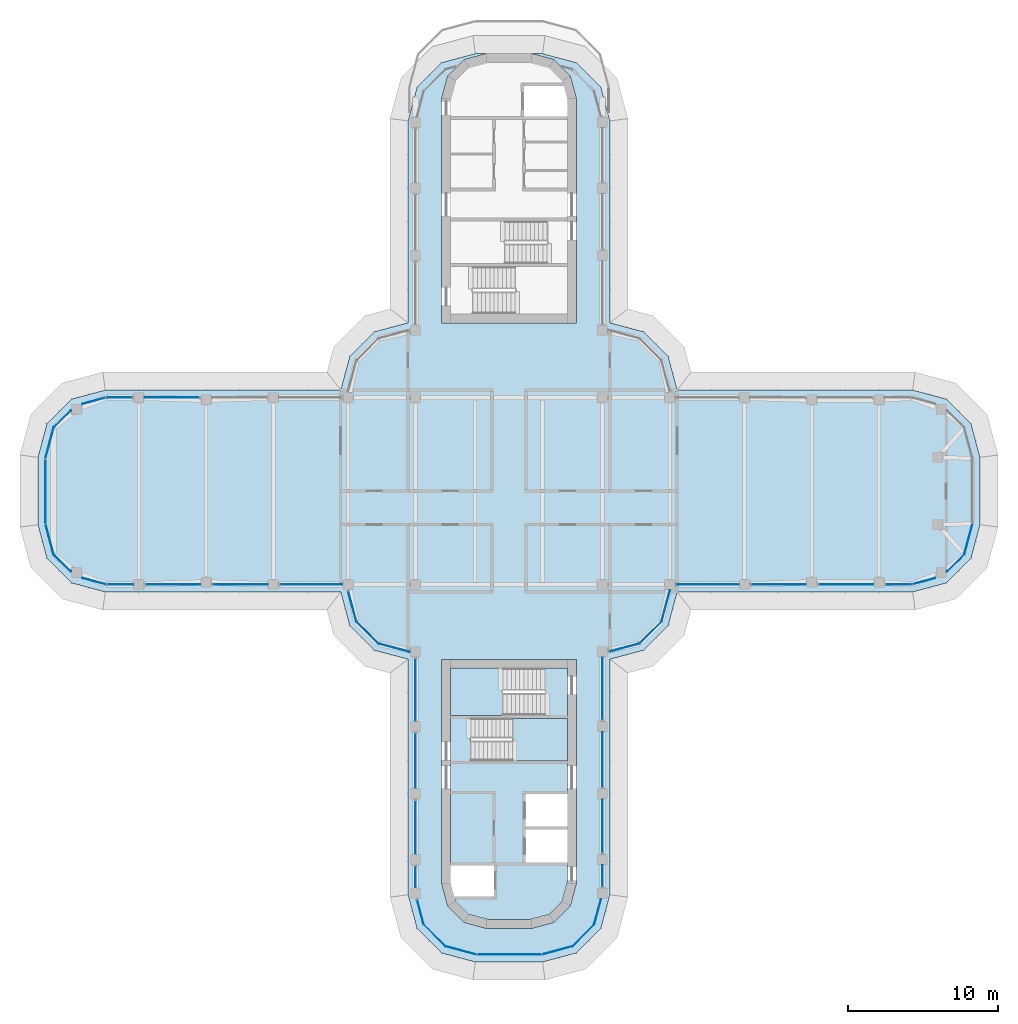
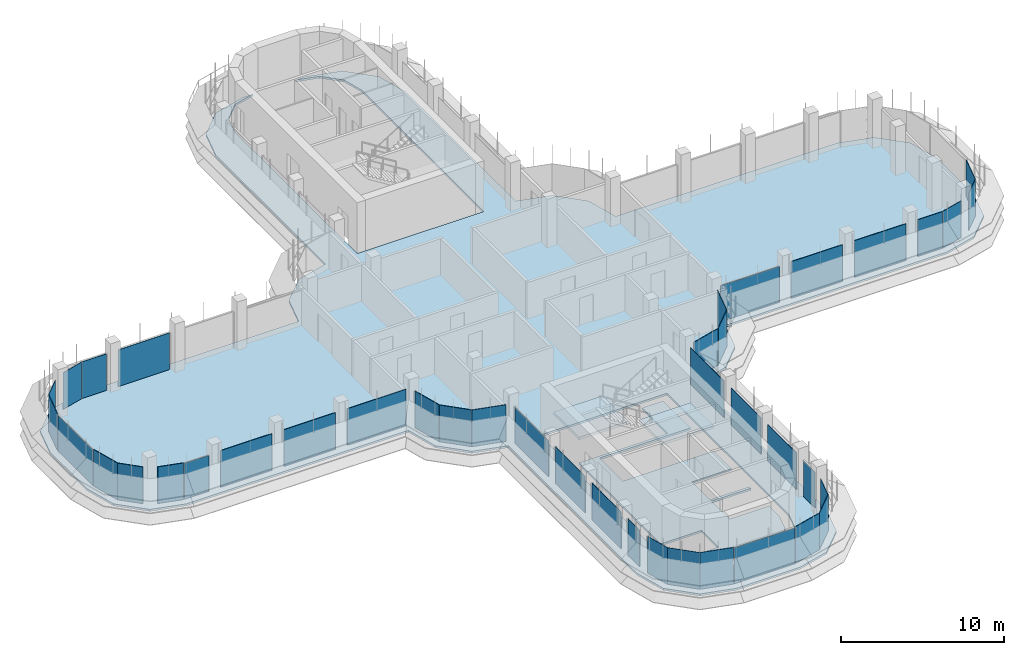
# One storey, part 11 of 19: 41 plates, 4 slabs, 30 elements without a shape of their own.
"""IFC4 building model written with IfcOpenShell, lengths in metres."""

from ifc_helpers import new_model, si_unit, direction, frame, origin, place, context, subcontext, project, spatial, polyline, outline, extrude, source, transform, mapped, material, layer, layer_set, type_object, element, aggregate, save


model = new_model("IFC4")

# Units and contexts
model_context = context("Model", 3, precision=1e-05, world=origin(), true_north=direction((0.0, 1.0)))
body_context = subcontext(model_context, "Body", "Model", "MODEL_VIEW")
ifc_project = project(units=[si_unit("LENGTHUNIT", "METRE"), si_unit("AREAUNIT", "SQUARE_METRE"), si_unit("VOLUMEUNIT", "CUBIC_METRE"), si_unit("PLANEANGLEUNIT", "RADIAN"), si_unit("MASSUNIT", "GRAM", prefix="KILO")], contexts=[model_context])

# Site, building, storey
site_placement = place(None, origin())
site = spatial("IfcSite", under=ifc_project, at=site_placement, CompositionType="ELEMENT")
building_placement = place(site_placement, origin())
building = spatial("IfcBuilding", under=site, at=building_placement, Name="Zarbagh Exchange Tower", CompositionType="ELEMENT")
storey_placement = place(building_placement, frame((0.0, 0.0, 218.199951171875)))
storey = spatial("IfcBuildingStorey", under=building, at=storey_placement, Name="L53", CompositionType="ELEMENT", Elevation=218.199951171875)

# Slabs
ifc_material_1 = material(Name="Concrete C40/50", Category="concrete")
ifc_layer_1 = layer(ifc_material_1, 0.14990234375)
ifc_layer_set_1 = layer_set([ifc_layer_1], Name="Composite floor slab 150 C40/50")
slab_type_1 = type_object("IfcSlabType", Name="Composite floor slab 150 C40/50", PredefinedType="FLOOR", material=ifc_layer_set_1)
slab_1_placement = place(storey_placement, frame((0.0, 0.0, -0.14990234375)))
element("IfcSlab", 1, at=slab_1_placement, inside=storey, type_object=slab_type_1, Name="S5 composite floor slab", PredefinedType="FLOOR", context=body_context, shape_type="SweptSolid", body=[
    extrude(outline(polyline([(-2.25, -31.5), (-4.5, -30.897216796875), (-6.147216796875, -29.25), (-6.75, -27.0), (-6.75, -11.25), (-9.0, -10.647216796875), (-10.647216796875, -9.0), (-11.25, -6.75), (-27.0, -6.75), (-29.25, -6.147216796875), (-30.897216796875, -4.5), (-31.5, -2.25), (-31.5, 2.25), (-30.897216796875, 4.5), (-29.25, 6.147216796875), (-27.0, 6.75), (-11.25, 6.75), (-10.647216796875, 9.0), (-9.0, 10.647216796875), (-6.75, 11.25), (-6.75, 24.75), (-6.147216796875, 27.0), (-4.5, 28.647216796875), (-2.25, 29.25), (-1.5, 29.25), (-3.0, 28.84814453125), (-4.09814453125, 27.75), (-4.5, 26.25), (-4.5, 11.25), (4.5, 11.25), (4.5, 26.25), (4.09814453125, 27.75), (3.0, 28.84814453125), (1.5, 29.25), (2.25, 29.25), (4.5, 28.647216796875), (6.147216796875, 27.0), (6.75, 24.75), (6.75, 11.25), (9.0, 10.647216796875), (10.647216796875, 9.0), (11.25, 6.75), (27.0, 6.75), (29.25, 6.147216796875), (30.897216796875, 4.5), (31.5, 2.25), (31.5, -2.25), (30.897216796875, -4.5), (29.25, -6.147216796875), (27.0, -6.75), (11.25, -6.75), (10.647216796875, -9.0), (9.0, -10.647216796875), (6.75, -11.25), (6.75, -27.0), (6.147216796875, -29.25), (4.5, -30.897216796875), (2.25, -31.5), (-2.25, -31.5)]), holes=[polyline([(-1.5, -29.25), (1.5, -29.25), (3.0, -28.84814453125), (4.09814453125, -27.75), (4.5, -26.25), (4.5, -11.25), (-4.5, -11.25), (-4.5, -26.25), (-4.09814453125, -27.75), (-3.0, -28.84814453125), (-1.5, -29.25)])]), origin(), (0.0, 0.0, 1.0), 0.14990234375),
])
ifc_layer_2 = layer(ifc_material_1, 0.14990234375)
ifc_layer_set_2 = layer_set([ifc_layer_2], Name="Core floor slab 150 C40/50")
slab_type_2 = type_object("IfcSlabType", Name="Core floor slab 150 C40/50", PredefinedType="FLOOR", material=ifc_layer_set_2)
slab_2_placement = place(storey_placement, frame((0.0, 0.0, -0.14990234375)))
element("IfcSlab", 2, at=slab_2_placement, inside=storey, type_object=slab_type_2, Name="S17 core S", PredefinedType="FLOOR", context=body_context, shape_type="SweptSolid", body=[
    extrude(outline(polyline([(-2.689453125, -28.31005859375), (-3.56005859375, -27.439453125), (-3.651123046875, -27.10009765625), (-1.0, -27.10009765625), (-1.0, -25.050048828125), (-3.89990234375, -25.050048828125), (-3.89990234375, -15.0), (2.39990234375, -15.0), (2.39990234375, -11.85009765625), (3.89990234375, -11.85009765625), (3.89990234375, -15.199951171875), (-2.550048828125, -15.199951171875), (-2.550048828125, -18.050048828125), (3.89990234375, -18.050048828125), (3.89990234375, -20.25), (1.10009765625, -20.25), (1.10009765625, -22.449951171875), (3.89990234375, -22.449951171875), (3.89990234375, -22.64990234375), (1.10009765625, -22.64990234375), (1.10009765625, -24.85009765625), (3.89990234375, -24.85009765625), (3.89990234375, -26.1708984375), (3.56005859375, -27.439453125), (2.689453125, -28.31005859375), (1.4208984375, -28.64990234375), (-1.4208984375, -28.64990234375), (-2.689453125, -28.31005859375)])), origin(), (0.0, 0.0, 1.0), 0.14990234375),
])

# Stair, slab
stair_type = type_object("IfcStairType", Name="Exit stair two-flight half-turn", PredefinedType="HALF_TURN_STAIR", material=ifc_material_1)
stair_1_placement = place(storey_placement, origin())
stair_1 = element("IfcStair", 3, at=stair_1_placement, inside=storey, type_object=stair_type, Name="exit stair ST3", PredefinedType="HALF_TURN_STAIR")
ifc_layer_3 = layer(ifc_material_1, 0.199951171875)
ifc_layer_set_3 = layer_set([ifc_layer_3], Name="Stair landing 200 mm")
slab_type_3 = type_object("IfcSlabType", Name="Stair landing 200 mm", PredefinedType="LANDING", material=ifc_layer_set_3)
slab_3_placement = place(storey_placement, frame((0.0, 0.0, 1.699951171875)))
slab_3 = element("IfcSlab", 4, at=slab_3_placement, type_object=slab_type_3, Name="ST3 landing 1", PredefinedType="LANDING", context=body_context, shape_type="SweptSolid", body=[
    extrude(outline(polyline([(0.25, -18.050048828125), (3.89990234375, -18.050048828125), (3.89990234375, -15.199951171875), (0.25, -15.199951171875), (0.25, -18.050048828125)])), origin(), (0.0, 0.0, 1.0), 0.2001953125),
])
aggregate(stair_1, [slab_3])

stair_2_placement = place(storey_placement, origin())
stair_2 = element("IfcStair", 5, at=stair_2_placement, inside=storey, type_object=stair_type, Name="exit stair ST4", PredefinedType="HALF_TURN_STAIR")
slab_4_placement = place(storey_placement, frame((0.0, 0.0, 1.699951171875)))
slab_4 = element("IfcSlab", 6, at=slab_4_placement, type_object=slab_type_3, Name="ST4 landing 1", PredefinedType="LANDING", context=body_context, shape_type="SweptSolid", body=[
    extrude(outline(polyline([(-0.39990234375, -11.85009765625), (-3.89990234375, -11.85009765625), (-3.89990234375, -15.0), (-0.39990234375, -15.0), (-0.39990234375, -11.85009765625)])), origin(), (0.0, 0.0, 1.0), 0.2001953125),
])
aggregate(stair_2, [slab_4])

# Curtain wall, plate
ifc_material_2 = material(Name="Anodised aluminium frame and glazing", Category="aluminium")
curtain_wall_type = type_object("IfcCurtainWallType", Name="CWB Ribbon glazing, upper zones", PredefinedType="NOTDEFINED", material=ifc_material_2)
curtain_wall_1_placement = place(storey_placement, origin())
curtain_wall_1 = element("IfcCurtainWall", 7, at=curtain_wall_1_placement, inside=storey, type_object=curtain_wall_type, Name="CWB50 curtain wall", PredefinedType="NOTDEFINED")
ifc_material_3 = material(Name="Low-e double glazed unit, 6+12+6 mm")
ifc_layer_4 = layer(ifc_material_3, 0.031982421875)
ifc_layer_set_4 = layer_set([ifc_layer_4], Name="PAB Glazing panel, Low-e double glazed unit, 6+12+6 mm")
plate_type = type_object("IfcPlateType", Name="PAB Glazing panel, Low-e double glazed unit, 6+12+6 mm", PredefinedType="CURTAIN_PANEL", material=ifc_layer_set_4)
shared_shape_1 = source(origin(), body_context, "Body", "SweptSolid", [
    extrude(outline(polyline([(0.0, -0.01611328125), (2.061279296875, -0.01611328125), (2.061279296875, 0.01611328125), (0.0, 0.01611328125), (0.0, -0.01611328125)])), origin(), (0.0, 0.0, 1.0), 2.75),
])
placement = place(storey_placement, origin())
plate_1 = element("IfcPlate", 8, at=placement, type_object=plate_type, Name="CWB50 glazing panel 1.1", PredefinedType="CURTAIN_PANEL", context=body_context, shape_type="MappedRepresentation", body=[
    mapped(shared_shape_1, transform((4.2412109375, -30.44873046875, 0.0), x_axis=(0.707106781187, 0.707106781187, 0.0), y_axis=(-0.707106781187, 0.707106781187, 0.0), z_axis=(0.0, 0.0, 1.0))),
])
aggregate(curtain_wall_1, [plate_1])

curtain_wall_2_placement = place(storey_placement, origin())
curtain_wall_2 = element("IfcCurtainWall", 9, at=curtain_wall_2_placement, inside=storey, type_object=curtain_wall_type, Name="CWB06 curtain wall", PredefinedType="NOTDEFINED")
plate_2 = element("IfcPlate", 10, at=placement, type_object=plate_type, Name="CWB06 glazing panel 1.1", PredefinedType="CURTAIN_PANEL", context=body_context, shape_type="MappedRepresentation", body=[
    mapped(shared_shape_1, transform((8.7412109375, -10.19873046875, 0.0), x_axis=(0.707106781187, 0.707106781187, 0.0), y_axis=(-0.707106781187, 0.707106781187, 0.0), z_axis=(0.0, 0.0, 1.0))),
])
aggregate(curtain_wall_2, [plate_2])

curtain_wall_3_placement = place(storey_placement, origin())
curtain_wall_3 = element("IfcCurtainWall", 11, at=curtain_wall_3_placement, inside=storey, type_object=curtain_wall_type, Name="CWB42 curtain wall", PredefinedType="NOTDEFINED")
plate_3 = element("IfcPlate", 12, at=placement, type_object=plate_type, Name="CWB42 glazing panel 1.1", PredefinedType="CURTAIN_PANEL", context=body_context, shape_type="MappedRepresentation", body=[
    mapped(shared_shape_1, transform((-10.19873046875, -8.7412109375, 0.0), x_axis=(0.707106781187, -0.707106781187, 0.0), y_axis=(0.707106781187, 0.707106781187, 0.0), z_axis=(0.0, 0.0, 1.0))),
])
aggregate(curtain_wall_3, [plate_3])

curtain_wall_4_placement = place(storey_placement, origin())
curtain_wall_4 = element("IfcCurtainWall", 13, at=curtain_wall_4_placement, inside=storey, type_object=curtain_wall_type, Name="CWB55 curtain wall", PredefinedType="NOTDEFINED")
plate_4 = element("IfcPlate", 14, at=placement, type_object=plate_type, Name="CWB55 glazing panel 1.1", PredefinedType="CURTAIN_PANEL", context=body_context, shape_type="MappedRepresentation", body=[
    mapped(shared_shape_1, transform((-5.69873046875, -28.9912109375, 0.0), x_axis=(0.707106781187, -0.707106781187, 0.0), y_axis=(0.707106781187, 0.707106781187, 0.0), z_axis=(0.0, 0.0, 1.0))),
])
aggregate(curtain_wall_4, [plate_4])

curtain_wall_5_placement = place(storey_placement, origin())
curtain_wall_5 = element("IfcCurtainWall", 15, at=curtain_wall_5_placement, inside=storey, type_object=curtain_wall_type, Name="CWB11 curtain wall", PredefinedType="NOTDEFINED")
shared_shape_2 = source(origin(), body_context, "Body", "SweptSolid", [
    extrude(outline(polyline([(0.0, -0.01611328125), (2.129638671875, -0.01611328125), (2.129638671875, 0.01611328125), (0.0, 0.01611328125), (0.0, -0.01611328125)])), origin(), (0.0, 0.0, 1.0), 2.75),
])
plate_5 = element("IfcPlate", 16, at=placement, type_object=plate_type, Name="CWB11 glazing panel 1.1", PredefinedType="CURTAIN_PANEL", context=body_context, shape_type="MappedRepresentation", body=[
    mapped(shared_shape_2, transform((30.44873046875, -4.2412109375, 0.0), x_axis=(0.258824779902, 0.965924289636, 0.0), y_axis=(-0.965924289636, 0.258824779902, 0.0), z_axis=(0.0, 0.0, 1.0))),
])
aggregate(curtain_wall_5, [plate_5])

curtain_wall_6_placement = place(storey_placement, origin())
curtain_wall_6 = element("IfcCurtainWall", 17, at=curtain_wall_6_placement, inside=storey, type_object=curtain_wall_type, Name="CWB61 curtain wall", PredefinedType="NOTDEFINED")
plate_6 = element("IfcPlate", 18, at=placement, type_object=plate_type, Name="CWB61 glazing panel 1.1", PredefinedType="CURTAIN_PANEL", context=body_context, shape_type="MappedRepresentation", body=[
    mapped(shared_shape_2, transform((-30.44873046875, 4.2412109375, 0.0), x_axis=(-0.258824779902, -0.965924289636, 0.0), y_axis=(0.965924289636, -0.258824779902, 0.0), z_axis=(0.0, 0.0, 1.0))),
])
aggregate(curtain_wall_6, [plate_6])

curtain_wall_7_placement = place(storey_placement, origin())
curtain_wall_7 = element("IfcCurtainWall", 19, at=curtain_wall_7_placement, inside=storey, type_object=curtain_wall_type, Name="CWB56 curtain wall", PredefinedType="NOTDEFINED")
plate_7 = element("IfcPlate", 20, at=placement, type_object=plate_type, Name="CWB56 glazing panel 1.1", PredefinedType="CURTAIN_PANEL", context=body_context, shape_type="MappedRepresentation", body=[
    mapped(shared_shape_2, transform((-4.2412109375, -30.44873046875, 0.0), x_axis=(0.965924289636, -0.258824779902, 0.0), y_axis=(0.258824779902, 0.965924289636, 0.0), z_axis=(0.0, 0.0, 1.0))),
])
aggregate(curtain_wall_7, [plate_7])

curtain_wall_8_placement = place(storey_placement, origin())
curtain_wall_8 = element("IfcCurtainWall", 21, at=curtain_wall_8_placement, inside=storey, type_object=curtain_wall_type, Name="CWB52 curtain wall", PredefinedType="NOTDEFINED")
shared_shape_3 = source(origin(), body_context, "Body", "SweptSolid", [
    extrude(outline(polyline([(0.0, -0.01611328125), (3.56005859375, -0.01611328125), (3.56005859375, 0.01611328125), (0.0, 0.01611328125), (0.0, -0.01611328125)])), origin(), (0.0, 0.0, 1.0), 2.75),
])
plate_8 = element("IfcPlate", 22, at=placement, type_object=plate_type, Name="CWB52 glazing panel 2.1", PredefinedType="CURTAIN_PANEL", context=body_context, shape_type="MappedRepresentation", body=[
    mapped(shared_shape_3, transform((6.25, -24.199951171875, 0.0), x_axis=(0.0, 1.0, 0.0), y_axis=(-1.0, 0.0, 0.0), z_axis=(0.0, 0.0, 1.0))),
])

curtain_wall_9_placement = place(storey_placement, origin())
curtain_wall_9 = element("IfcCurtainWall", 23, at=curtain_wall_9_placement, inside=storey, type_object=curtain_wall_type, Name="CWB53 curtain wall", PredefinedType="NOTDEFINED")
plate_9 = element("IfcPlate", 24, at=placement, type_object=plate_type, Name="CWB53 glazing panel 3.1", PredefinedType="CURTAIN_PANEL", context=body_context, shape_type="MappedRepresentation", body=[
    mapped(shared_shape_3, transform((-6.25, -20.699951171875, 0.0), x_axis=(0.0, -1.0, 0.0), y_axis=(1.0, 0.0, 0.0), z_axis=(0.0, 0.0, 1.0))),
])

curtain_wall_10_placement = place(storey_placement, origin())
curtain_wall_10 = element("IfcCurtainWall", 25, at=curtain_wall_10_placement, inside=storey, type_object=curtain_wall_type, Name="CWB66 curtain wall", PredefinedType="NOTDEFINED")
shared_shape_4 = source(origin(), body_context, "Body", "SweptSolid", [
    extrude(outline(polyline([(0.0, -0.01611328125), (4.308349609375, -0.01611328125), (4.308349609375, 0.01611328125), (0.0, 0.01611328125), (0.0, -0.01611328125)])), origin(), (0.0, 0.0, 1.0), 2.68994140625),
])
plate_10 = element("IfcPlate", 26, at=placement, type_object=plate_type, Name="CWB66 glazing panel 1.1", PredefinedType="CURTAIN_PANEL", context=body_context, shape_type="MappedRepresentation", body=[
    mapped(shared_shape_4, transform((-31.0, 2.124267578125, 0.0), x_axis=(0.0, -1.0, 0.0), y_axis=(1.0, 0.0, 0.0), z_axis=(0.0, 0.0, 1.0))),
])
aggregate(curtain_wall_10, [plate_10])

curtain_wall_11_placement = place(storey_placement, origin())
curtain_wall_11 = element("IfcCurtainWall", 27, at=curtain_wall_11_placement, inside=storey, type_object=curtain_wall_type, Name="CWB57 curtain wall", PredefinedType="NOTDEFINED")
plate_11 = element("IfcPlate", 28, at=placement, type_object=plate_type, Name="CWB57 glazing panel 1.1", PredefinedType="CURTAIN_PANEL", context=body_context, shape_type="MappedRepresentation", body=[
    mapped(shared_shape_4, transform((-2.124267578125, -31.0, 0.0), x_axis=(1.0, 0.0, 0.0), y_axis=(0.0, 1.0, 0.0), z_axis=(0.0, 0.0, 1.0))),
])
aggregate(curtain_wall_11, [plate_11])

curtain_wall_12_placement = place(storey_placement, origin())
curtain_wall_12 = element("IfcCurtainWall", 29, at=curtain_wall_12_placement, inside=storey, type_object=curtain_wall_type, Name="CWB49 curtain wall", PredefinedType="NOTDEFINED")
shared_shape_5 = source(origin(), body_context, "Body", "SweptSolid", [
    extrude(outline(polyline([(0.0, -0.01611328125), (2.069580078125, -0.01611328125), (2.069580078125, 0.01611328125), (0.0, 0.01611328125), (0.0, -0.01611328125)])), origin(), (0.0, 0.0, 1.0), 2.75),
])
plate_12 = element("IfcPlate", 30, at=placement, type_object=plate_type, Name="CWB49 glazing panel 1.1", PredefinedType="CURTAIN_PANEL", context=body_context, shape_type="MappedRepresentation", body=[
    mapped(shared_shape_5, transform((2.2421875, -30.984375, 0.0), x_axis=(0.965924289636, 0.258824779902, 0.0), y_axis=(-0.258824779902, 0.965924289636, 0.0), z_axis=(0.0, 0.0, 1.0))),
])
aggregate(curtain_wall_12, [plate_12])

curtain_wall_13_placement = place(storey_placement, origin())
curtain_wall_13 = element("IfcCurtainWall", 31, at=curtain_wall_13_placement, inside=storey, type_object=curtain_wall_type, Name="CWB62 curtain wall", PredefinedType="NOTDEFINED")
plate_13 = element("IfcPlate", 32, at=placement, type_object=plate_type, Name="CWB62 glazing panel 1.1", PredefinedType="CURTAIN_PANEL", context=body_context, shape_type="MappedRepresentation", body=[
    mapped(shared_shape_5, transform((-30.984375, -2.2421875, 0.0), x_axis=(0.258824779902, -0.965924289636, 0.0), y_axis=(0.965924289636, 0.258824779902, 0.0), z_axis=(0.0, 0.0, 1.0))),
])
aggregate(curtain_wall_13, [plate_13])

curtain_wall_14_placement = place(storey_placement, origin())
curtain_wall_14 = element("IfcCurtainWall", 33, at=curtain_wall_14_placement, inside=storey, type_object=curtain_wall_type, Name="CWB51 curtain wall", PredefinedType="NOTDEFINED")
shared_shape_6 = source(origin(), body_context, "Body", "SweptSolid", [
    extrude(outline(polyline([(0.0, -0.01611328125), (1.76123046875, -0.01611328125), (1.76123046875, 0.01611328125), (0.0, 0.01611328125), (0.0, -0.01611328125)])), origin(), (0.0, 0.0, 1.0), 2.75),
])
plate_14 = element("IfcPlate", 34, at=placement, type_object=plate_type, Name="CWB51 glazing panel 1.1", PredefinedType="CURTAIN_PANEL", context=body_context, shape_type="MappedRepresentation", body=[
    mapped(shared_shape_6, transform((5.69873046875, -28.9912109375, 0.0), x_axis=(0.258824779902, 0.965924289636, 0.0), y_axis=(-0.965924289636, 0.258824779902, 0.0), z_axis=(0.0, 0.0, 1.0))),
])
aggregate(curtain_wall_14, [plate_14])

# Plate
shared_shape_7 = source(origin(), body_context, "Body", "SweptSolid", [
    extrude(outline(polyline([(0.0, -0.01611328125), (1.409912109375, -0.01611328125), (1.409912109375, 0.01611328125), (0.0, 0.01611328125), (0.0, -0.01611328125)])), origin(), (0.0, 0.0, 1.0), 2.68994140625),
])
plate_15 = element("IfcPlate", 35, at=placement, type_object=plate_type, Name="CWB52 glazing panel 1.1", PredefinedType="CURTAIN_PANEL", context=body_context, shape_type="MappedRepresentation", body=[
    mapped(shared_shape_7, transform((6.25, -26.449951171875, 0.0), x_axis=(0.0, 1.0, 0.0), y_axis=(-1.0, 0.0, 0.0), z_axis=(0.0, 0.0, 1.0))),
])

shared_shape_8 = source(origin(), body_context, "Body", "SweptSolid", [
    extrude(outline(polyline([(0.0, -0.01611328125), (3.659912109375, -0.01611328125), (3.659912109375, 0.01611328125), (0.0, 0.01611328125), (0.0, -0.01611328125)])), origin(), (0.0, 0.0, 1.0), 2.75),
])
plate_16 = element("IfcPlate", 36, at=placement, type_object=plate_type, Name="CWB52 glazing panel 3.1", PredefinedType="CURTAIN_PANEL", context=body_context, shape_type="MappedRepresentation", body=[
    mapped(shared_shape_8, transform((6.25, -19.800048828125, 0.0), x_axis=(0.0, 1.0, 0.0), y_axis=(-1.0, 0.0, 0.0), z_axis=(0.0, 0.0, 1.0))),
])

# Curtain wall, plates
curtain_wall_15_placement = place(storey_placement, origin())
curtain_wall_15 = element("IfcCurtainWall", 37, at=curtain_wall_15_placement, inside=storey, type_object=curtain_wall_type, Name="CWB08 curtain wall", PredefinedType="NOTDEFINED")
plate_17 = element("IfcPlate", 38, at=placement, type_object=plate_type, Name="CWB08 glazing panel 2.1", PredefinedType="CURTAIN_PANEL", context=body_context, shape_type="MappedRepresentation", body=[
    mapped(shared_shape_8, transform((16.199951171875, -6.25, 0.0), x_axis=(1.0, 0.0, 0.0), y_axis=(0.0, 1.0, 0.0), z_axis=(0.0, 0.0, 1.0))),
])
plate_18 = element("IfcPlate", 39, at=placement, type_object=plate_type, Name="CWB08 glazing panel 3.1", PredefinedType="CURTAIN_PANEL", context=body_context, shape_type="MappedRepresentation", body=[
    mapped(shared_shape_8, transform((20.699951171875, -6.25, 0.0), x_axis=(1.0, 0.0, 0.0), y_axis=(0.0, 1.0, 0.0), z_axis=(0.0, 0.0, 1.0))),
])

# Curtain wall, plate
curtain_wall_16_placement = place(storey_placement, origin())
curtain_wall_16 = element("IfcCurtainWall", 40, at=curtain_wall_16_placement, inside=storey, type_object=curtain_wall_type, Name="CWB58 curtain wall", PredefinedType="NOTDEFINED")
plate_19 = element("IfcPlate", 41, at=placement, type_object=plate_type, Name="CWB58 glazing panel 3.1", PredefinedType="CURTAIN_PANEL", context=body_context, shape_type="MappedRepresentation", body=[
    mapped(shared_shape_8, transform((-20.699951171875, 6.25, 0.0), x_axis=(-1.0, 0.0, 0.0), y_axis=(0.0, -1.0, 0.0), z_axis=(0.0, 0.0, 1.0))),
])

# Curtain wall, plates
curtain_wall_17_placement = place(storey_placement, origin())
curtain_wall_17 = element("IfcCurtainWall", 42, at=curtain_wall_17_placement, inside=storey, type_object=curtain_wall_type, Name="CWB65 curtain wall", PredefinedType="NOTDEFINED")
plate_20 = element("IfcPlate", 43, at=placement, type_object=plate_type, Name="CWB65 glazing panel 2.1", PredefinedType="CURTAIN_PANEL", context=body_context, shape_type="MappedRepresentation", body=[
    mapped(shared_shape_8, transform((-24.300048828125, -6.25, 0.0), x_axis=(1.0, 0.0, 0.0), y_axis=(0.0, 1.0, 0.0), z_axis=(0.0, 0.0, 1.0))),
])
plate_21 = element("IfcPlate", 44, at=placement, type_object=plate_type, Name="CWB65 glazing panel 3.1", PredefinedType="CURTAIN_PANEL", context=body_context, shape_type="MappedRepresentation", body=[
    mapped(shared_shape_8, transform((-19.800048828125, -6.25, 0.0), x_axis=(1.0, 0.0, 0.0), y_axis=(0.0, 1.0, 0.0), z_axis=(0.0, 0.0, 1.0))),
])

# Plate
plate_22 = element("IfcPlate", 45, at=placement, type_object=plate_type, Name="CWB53 glazing panel 2.1", PredefinedType="CURTAIN_PANEL", context=body_context, shape_type="MappedRepresentation", body=[
    mapped(shared_shape_8, transform((-6.25, -16.199951171875, 0.0), x_axis=(0.0, -1.0, 0.0), y_axis=(1.0, 0.0, 0.0), z_axis=(0.0, 0.0, 1.0))),
])

shared_shape_9 = source(origin(), body_context, "Body", "SweptSolid", [
    extrude(outline(polyline([(0.0, -0.01611328125), (4.159912109375, -0.01611328125), (4.159912109375, 0.01611328125), (0.0, 0.01611328125), (0.0, -0.01611328125)])), origin(), (0.0, 0.0, 1.0), 2.75),
])
plate_23 = element("IfcPlate", 46, at=placement, type_object=plate_type, Name="CWB52 glazing panel 4.1", PredefinedType="CURTAIN_PANEL", context=body_context, shape_type="MappedRepresentation", body=[
    mapped(shared_shape_9, transform((6.25, -15.300048828125, 0.0), x_axis=(0.0, 1.0, 0.0), y_axis=(-1.0, 0.0, 0.0), z_axis=(0.0, 0.0, 1.0))),
])

aggregate(curtain_wall_8, [plate_15, plate_8, plate_16, plate_23])

plate_24 = element("IfcPlate", 47, at=placement, type_object=plate_type, Name="CWB65 glazing panel 4.1", PredefinedType="CURTAIN_PANEL", context=body_context, shape_type="MappedRepresentation", body=[
    mapped(shared_shape_9, transform((-15.300048828125, -6.25, 0.0), x_axis=(1.0, 0.0, 0.0), y_axis=(0.0, 1.0, 0.0), z_axis=(0.0, 0.0, 1.0))),
])

# Curtain wall, plate
curtain_wall_18_placement = place(storey_placement, origin())
curtain_wall_18 = element("IfcCurtainWall", 48, at=curtain_wall_18_placement, inside=storey, type_object=curtain_wall_type, Name="CWB05 curtain wall", PredefinedType="NOTDEFINED")
shared_shape_10 = source(origin(), body_context, "Body", "SweptSolid", [
    extrude(outline(polyline([(0.0, -0.01611328125), (2.115234375, -0.01611328125), (2.115234375, 0.01611328125), (0.0, 0.01611328125), (0.0, -0.01611328125)])), origin(), (0.0, 0.0, 1.0), 2.75),
])
plate_25 = element("IfcPlate", 49, at=placement, type_object=plate_type, Name="CWB05 glazing panel 1.1", PredefinedType="CURTAIN_PANEL", context=body_context, shape_type="MappedRepresentation", body=[
    mapped(shared_shape_10, transform((6.697998046875, -10.746337890625, 0.0), x_axis=(0.965924289636, 0.258824779902, 0.0), y_axis=(-0.258824779902, 0.965924289636, 0.0), z_axis=(0.0, 0.0, 1.0))),
])
aggregate(curtain_wall_18, [plate_25])

curtain_wall_19_placement = place(storey_placement, origin())
curtain_wall_19 = element("IfcCurtainWall", 50, at=curtain_wall_19_placement, inside=storey, type_object=curtain_wall_type, Name="CWB41 curtain wall", PredefinedType="NOTDEFINED")
plate_26 = element("IfcPlate", 51, at=placement, type_object=plate_type, Name="CWB41 glazing panel 1.1", PredefinedType="CURTAIN_PANEL", context=body_context, shape_type="MappedRepresentation", body=[
    mapped(shared_shape_10, transform((-10.746337890625, -6.697998046875, 0.0), x_axis=(0.258824779902, -0.965924289636, 0.0), y_axis=(0.965924289636, 0.258824779902, 0.0), z_axis=(0.0, 0.0, 1.0))),
])
aggregate(curtain_wall_19, [plate_26])

curtain_wall_20_placement = place(storey_placement, origin())
curtain_wall_20 = element("IfcCurtainWall", 52, at=curtain_wall_20_placement, inside=storey, type_object=curtain_wall_type, Name="CWB07 curtain wall", PredefinedType="NOTDEFINED")
shared_shape_11 = source(origin(), body_context, "Body", "SweptSolid", [
    extrude(outline(polyline([(0.0, -0.01611328125), (2.17529296875, -0.01611328125), (2.17529296875, 0.01611328125), (0.0, 0.01611328125), (0.0, -0.01611328125)])), origin(), (0.0, 0.0, 1.0), 2.75),
])
plate_27 = element("IfcPlate", 53, at=placement, type_object=plate_type, Name="CWB07 glazing panel 1.1", PredefinedType="CURTAIN_PANEL", context=body_context, shape_type="MappedRepresentation", body=[
    mapped(shared_shape_11, transform((10.19873046875, -8.7412109375, 0.0), x_axis=(0.258824779902, 0.965924289636, 0.0), y_axis=(-0.965924289636, 0.258824779902, 0.0), z_axis=(0.0, 0.0, 1.0))),
])
aggregate(curtain_wall_20, [plate_27])

curtain_wall_21_placement = place(storey_placement, origin())
curtain_wall_21 = element("IfcCurtainWall", 54, at=curtain_wall_21_placement, inside=storey, type_object=curtain_wall_type, Name="CWB43 curtain wall", PredefinedType="NOTDEFINED")
plate_28 = element("IfcPlate", 55, at=placement, type_object=plate_type, Name="CWB43 glazing panel 1.1", PredefinedType="CURTAIN_PANEL", context=body_context, shape_type="MappedRepresentation", body=[
    mapped(shared_shape_11, transform((-8.7412109375, -10.19873046875, 0.0), x_axis=(0.965924289636, -0.258824779902, 0.0), y_axis=(0.258824779902, 0.965924289636, 0.0), z_axis=(0.0, 0.0, 1.0))),
])
aggregate(curtain_wall_21, [plate_28])

# Plate
shared_shape_12 = source(origin(), body_context, "Body", "SweptSolid", [
    extrude(outline(polyline([(0.0, -0.01611328125), (4.159912109375, -0.01611328125), (4.159912109375, 0.01611328125), (0.0, 0.01611328125), (0.0, -0.01611328125)])), origin(), (0.0, 0.0, 1.0), 2.68994140625),
])
plate_29 = element("IfcPlate", 56, at=placement, type_object=plate_type, Name="CWB08 glazing panel 1.1", PredefinedType="CURTAIN_PANEL", context=body_context, shape_type="MappedRepresentation", body=[
    mapped(shared_shape_12, transform((11.199951171875, -6.25, 0.0), x_axis=(1.0, 0.0, 0.0), y_axis=(0.0, 1.0, 0.0), z_axis=(0.0, 0.0, 1.0))),
])

plate_30 = element("IfcPlate", 57, at=placement, type_object=plate_type, Name="CWB53 glazing panel 1.1", PredefinedType="CURTAIN_PANEL", context=body_context, shape_type="MappedRepresentation", body=[
    mapped(shared_shape_12, transform((-6.25, -11.199951171875, 0.0), x_axis=(0.0, -1.0, 0.0), y_axis=(1.0, 0.0, 0.0), z_axis=(0.0, 0.0, 1.0))),
])

shared_shape_13 = source(origin(), body_context, "Body", "SweptSolid", [
    extrude(outline(polyline([(0.0, -0.01611328125), (1.734130859375, -0.01611328125), (1.734130859375, 0.01611328125), (0.0, 0.01611328125), (0.0, -0.01611328125)])), origin(), (0.0, 0.0, 1.0), 2.75),
])
plate_31 = element("IfcPlate", 58, at=placement, type_object=plate_type, Name="CWB08 glazing panel 4.1", PredefinedType="CURTAIN_PANEL", context=body_context, shape_type="MappedRepresentation", body=[
    mapped(shared_shape_13, transform((25.199951171875, -6.25, 0.0), x_axis=(1.0, 0.0, 0.0), y_axis=(0.0, 1.0, 0.0), z_axis=(0.0, 0.0, 1.0))),
])

aggregate(curtain_wall_15, [plate_29, plate_17, plate_18, plate_31])

plate_32 = element("IfcPlate", 59, at=placement, type_object=plate_type, Name="CWB58 glazing panel 4.1", PredefinedType="CURTAIN_PANEL", context=body_context, shape_type="MappedRepresentation", body=[
    mapped(shared_shape_13, transform((-25.199951171875, 6.25, 0.0), x_axis=(-1.0, 0.0, 0.0), y_axis=(0.0, -1.0, 0.0), z_axis=(0.0, 0.0, 1.0))),
])

aggregate(curtain_wall_16, [plate_19, plate_32])

# Curtain wall, plate
curtain_wall_22_placement = place(storey_placement, origin())
curtain_wall_22 = element("IfcCurtainWall", 60, at=curtain_wall_22_placement, inside=storey, type_object=curtain_wall_type, Name="CWB09 curtain wall", PredefinedType="NOTDEFINED")
shared_shape_14 = source(origin(), body_context, "Body", "SweptSolid", [
    extrude(outline(polyline([(0.0, -0.01611328125), (1.57958984375, -0.01611328125), (1.57958984375, 0.01611328125), (0.0, 0.01611328125), (0.0, -0.01611328125)])), origin(), (0.0, 0.0, 1.0), 2.75),
])
plate_33 = element("IfcPlate", 61, at=placement, type_object=plate_type, Name="CWB09 glazing panel 1.1", PredefinedType="CURTAIN_PANEL", context=body_context, shape_type="MappedRepresentation", body=[
    mapped(shared_shape_14, transform((26.9921875, -6.234375, 0.0), x_axis=(0.965924289636, 0.258824779902, 0.0), y_axis=(-0.258824779902, 0.965924289636, 0.0), z_axis=(0.0, 0.0, 1.0))),
])
aggregate(curtain_wall_22, [plate_33])

curtain_wall_23_placement = place(storey_placement, origin())
curtain_wall_23 = element("IfcCurtainWall", 62, at=curtain_wall_23_placement, inside=storey, type_object=curtain_wall_type, Name="CWB59 curtain wall", PredefinedType="NOTDEFINED")
plate_34 = element("IfcPlate", 63, at=placement, type_object=plate_type, Name="CWB59 glazing panel 1.1", PredefinedType="CURTAIN_PANEL", context=body_context, shape_type="MappedRepresentation", body=[
    mapped(shared_shape_14, transform((-26.9921875, 6.234375, 0.0), x_axis=(-0.965924289636, -0.258824779902, 0.0), y_axis=(0.258824779902, -0.965924289636, 0.0), z_axis=(0.0, 0.0, 1.0))),
])
aggregate(curtain_wall_23, [plate_34])

curtain_wall_24_placement = place(storey_placement, origin())
curtain_wall_24 = element("IfcCurtainWall", 64, at=curtain_wall_24_placement, inside=storey, type_object=curtain_wall_type, Name="CWB10 curtain wall", PredefinedType="NOTDEFINED")
shared_shape_15 = source(origin(), body_context, "Body", "SweptSolid", [
    extrude(outline(polyline([(0.0, -0.01611328125), (1.62744140625, -0.01611328125), (1.62744140625, 0.01611328125), (0.0, 0.01611328125), (0.0, -0.01611328125)])), origin(), (0.0, 0.0, 1.0), 2.75),
])
plate_35 = element("IfcPlate", 65, at=placement, type_object=plate_type, Name="CWB10 glazing panel 1.1", PredefinedType="CURTAIN_PANEL", context=body_context, shape_type="MappedRepresentation", body=[
    mapped(shared_shape_15, transform((29.298095703125, -5.39208984375, 0.0), x_axis=(0.707106781187, 0.707106781187, 0.0), y_axis=(-0.707106781187, 0.707106781187, 0.0), z_axis=(0.0, 0.0, 1.0))),
])
aggregate(curtain_wall_24, [plate_35])

curtain_wall_25_placement = place(storey_placement, origin())
curtain_wall_25 = element("IfcCurtainWall", 66, at=curtain_wall_25_placement, inside=storey, type_object=curtain_wall_type, Name="CWB60 curtain wall", PredefinedType="NOTDEFINED")
plate_36 = element("IfcPlate", 67, at=placement, type_object=plate_type, Name="CWB60 glazing panel 1.1", PredefinedType="CURTAIN_PANEL", context=body_context, shape_type="MappedRepresentation", body=[
    mapped(shared_shape_15, transform((-29.298095703125, 5.39208984375, 0.0), x_axis=(-0.707106781187, -0.707106781187, 0.0), y_axis=(0.707106781187, -0.707106781187, 0.0), z_axis=(0.0, 0.0, 1.0))),
])
aggregate(curtain_wall_25, [plate_36])

curtain_wall_26_placement = place(storey_placement, origin())
curtain_wall_26 = element("IfcCurtainWall", 68, at=curtain_wall_26_placement, inside=storey, type_object=curtain_wall_type, Name="CWB63 curtain wall", PredefinedType="NOTDEFINED")
plate_37 = element("IfcPlate", 69, at=placement, type_object=plate_type, Name="CWB63 glazing panel 1.1", PredefinedType="CURTAIN_PANEL", context=body_context, shape_type="MappedRepresentation", body=[
    mapped(shared_shape_15, transform((-30.44873046875, -4.2412109375, 0.0), x_axis=(0.707106781187, -0.707106781187, 0.0), y_axis=(0.707106781187, 0.707106781187, 0.0), z_axis=(0.0, 0.0, 1.0))),
])
aggregate(curtain_wall_26, [plate_37])

curtain_wall_27_placement = place(storey_placement, origin())
curtain_wall_27 = element("IfcCurtainWall", 70, at=curtain_wall_27_placement, inside=storey, type_object=curtain_wall_type, Name="CWB64 curtain wall", PredefinedType="NOTDEFINED")
shared_shape_16 = source(origin(), body_context, "Body", "SweptSolid", [
    extrude(outline(polyline([(0.0, -0.01611328125), (1.6396484375, -0.01611328125), (1.6396484375, 0.01611328125), (0.0, 0.01611328125), (0.0, -0.01611328125)])), origin(), (0.0, 0.0, 1.0), 2.75),
])
plate_38 = element("IfcPlate", 71, at=placement, type_object=plate_type, Name="CWB64 glazing panel 1.1", PredefinedType="CURTAIN_PANEL", context=body_context, shape_type="MappedRepresentation", body=[
    mapped(shared_shape_16, transform((-28.51806640625, -5.82568359375, 0.0), x_axis=(0.965924289636, -0.258824779902, 0.0), y_axis=(0.258824779902, 0.965924289636, 0.0), z_axis=(0.0, 0.0, 1.0))),
])
aggregate(curtain_wall_27, [plate_38])

# Plate
shared_shape_17 = source(origin(), body_context, "Body", "SweptSolid", [
    extrude(outline(polyline([(0.0, -0.01611328125), (1.734130859375, -0.01611328125), (1.734130859375, 0.01611328125), (0.0, 0.01611328125), (0.0, -0.01611328125)])), origin(), (0.0, 0.0, 1.0), 2.68994140625),
])
plate_39 = element("IfcPlate", 72, at=placement, type_object=plate_type, Name="CWB65 glazing panel 1.1", PredefinedType="CURTAIN_PANEL", context=body_context, shape_type="MappedRepresentation", body=[
    mapped(shared_shape_17, transform((-26.874267578125, -6.25, 0.0), x_axis=(1.0, 0.0, 0.0), y_axis=(0.0, 1.0, 0.0), z_axis=(0.0, 0.0, 1.0))),
])

aggregate(curtain_wall_17, [plate_39, plate_20, plate_21, plate_24])

shared_shape_18 = source(origin(), body_context, "Body", "SweptSolid", [
    extrude(outline(polyline([(0.0, -0.01611328125), (1.409912109375, -0.01611328125), (1.409912109375, 0.01611328125), (0.0, 0.01611328125), (0.0, -0.01611328125)])), origin(), (0.0, 0.0, 1.0), 2.75),
])
plate_40 = element("IfcPlate", 73, at=placement, type_object=plate_type, Name="CWB53 glazing panel 4.1", PredefinedType="CURTAIN_PANEL", context=body_context, shape_type="MappedRepresentation", body=[
    mapped(shared_shape_18, transform((-6.25, -25.10009765625, 0.0), x_axis=(0.0, -1.0, 0.0), y_axis=(1.0, 0.0, 0.0), z_axis=(0.0, 0.0, 1.0))),
])

aggregate(curtain_wall_9, [plate_30, plate_22, plate_9, plate_40])

# Curtain wall, plate
curtain_wall_28_placement = place(storey_placement, origin())
curtain_wall_28 = element("IfcCurtainWall", 74, at=curtain_wall_28_placement, inside=storey, type_object=curtain_wall_type, Name="CWB54 curtain wall", PredefinedType="NOTDEFINED")
shared_shape_19 = source(origin(), body_context, "Body", "SweptSolid", [
    extrude(outline(polyline([(0.0, -0.01611328125), (1.701171875, -0.01611328125), (1.701171875, 0.01611328125), (0.0, 0.01611328125), (0.0, -0.01611328125)])), origin(), (0.0, 0.0, 1.0), 2.75),
])
plate_41 = element("IfcPlate", 75, at=placement, type_object=plate_type, Name="CWB54 glazing panel 1.1", PredefinedType="CURTAIN_PANEL", context=body_context, shape_type="MappedRepresentation", body=[
    mapped(shared_shape_19, transform((-6.13916015625, -27.347900390625, 0.0), x_axis=(0.258824779902, -0.965924289636, 0.0), y_axis=(0.965924289636, 0.258824779902, 0.0), z_axis=(0.0, 0.0, 1.0))),
])
aggregate(curtain_wall_28, [plate_41])

save(model, "model.ifc")
